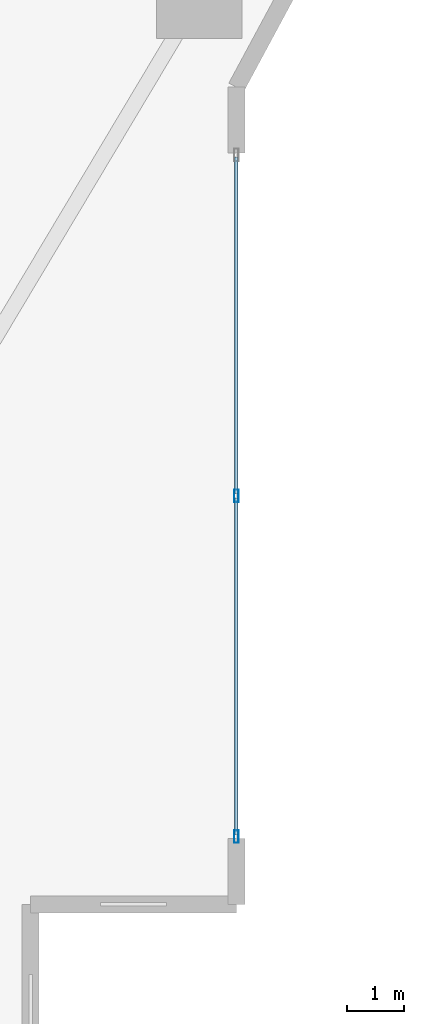
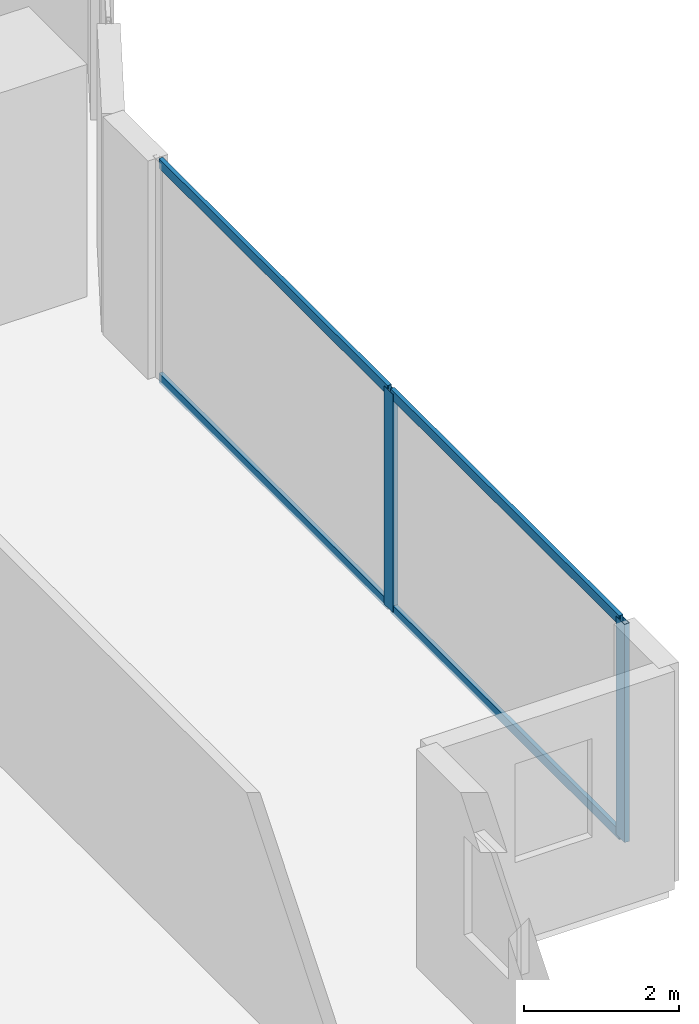
# One storey, part 10 of 29: 6 members, 1 element without a shape of its own.
"""IFC4 building model written with IfcOpenShell, lengths in metres."""

from ifc_helpers import new_model, si_unit, direction, frame, origin, origin_2d, place, context, subcontext, project, spatial, hollow_rectangle, extrude, material, layer, layer_set, material_profile, profile_set, type_object, element, aggregate, save


model = new_model("IFC4")

# Units and contexts
model_context = context("Model", 3, precision=1e-05, world=origin(), true_north=direction((0.0, 1.0)))
body_context = subcontext(model_context, "Body", "Model", "MODEL_VIEW")
ifc_project = project(units=[si_unit("LENGTHUNIT", "METRE"), si_unit("AREAUNIT", "SQUARE_METRE"), si_unit("VOLUMEUNIT", "CUBIC_METRE"), si_unit("PLANEANGLEUNIT", "RADIAN"), si_unit("MASSUNIT", "GRAM", prefix="KILO")], contexts=[model_context])

# Site, building, storey
site_placement = place(None, origin())
site = spatial("IfcSite", under=ifc_project, at=site_placement, CompositionType="ELEMENT")
building_placement = place(site_placement, origin())
building = spatial("IfcBuilding", under=site, at=building_placement, Name="Zuhayl Quay Hotel", CompositionType="ELEMENT")
storey_placement = place(building_placement, frame((0.0, 0.0, 67.75)))
storey = spatial("IfcBuildingStorey", under=building, at=storey_placement, Name="L16", CompositionType="ELEMENT", Elevation=67.75)

# Curtain wall, members
ifc_material_1 = material(Name="Anodised Aluminium 6063-T6", Category="aluminium")
ifc_layer = layer(ifc_material_1, 0.18994140625, Name="Anodised Aluminium 6063-T6", Category="aluminium")
ifc_layer_set = layer_set([ifc_layer], Name="Anodised Aluminium 6063-T6")
curtain_wall_type = type_object("IfcCurtainWallType", Name="CW_SYS_Z1", PredefinedType="USERDEFINED", material=ifc_layer_set)
curtain_wall_placement = place(storey_placement, origin())
curtain_wall = element("IfcCurtainWall", 1, at=curtain_wall_placement, inside=storey, type_object=curtain_wall_type, Name="L16 Curtain Wall ENV_L16_E14_CW1", ObjectType="UNITISED CURTAIN WALL", PredefinedType="USERDEFINED")
ifc_material_2 = material(Name="Black-anodised aluminium 6063-T6", Category="aluminium")
ifc_material_profile_1 = material_profile(ifc_material_2, hollow_rectangle(XDim=0.074951171875, YDim=0.219970703125, WallThickness=0.00390625, at=origin_2d()), Name="ALU220X75")
ifc_profile_set_1 = profile_set([ifc_material_profile_1], Name="Black-anodised aluminium 6063-T6")
member_type_1 = type_object("IfcMemberType", Name="MB_CW_MUL_220", PredefinedType="MULLION", material=ifc_profile_set_1)
member_1_placement = place(storey_placement, frame((25.699951171875, -12.35009765625, 0.0), z_axis=(0.0, 0.0, 1.0), x_axis=(1.0, 0.0, 0.0)))
member_1 = element("IfcMember", 2, at=member_1_placement, type_object=member_type_1, Name="CW-Z1 mullion 2", PredefinedType="MULLION", context=body_context, shape_type="SweptSolid", body=[
    extrude(hollow_rectangle(XDim=0.074951171875, YDim=0.219970703125, WallThickness=0.00390625, at=origin_2d()), origin(), (0.0, 0.0, 1.0), 3.429931640625),
])
member_2_placement = place(storey_placement, frame((25.699951171875, -18.3125, 0.0), z_axis=(0.0, 0.0, 1.0), x_axis=(1.0, 0.0, 0.0)))
member_2 = element("IfcMember", 3, at=member_2_placement, type_object=member_type_1, Name="CW-Z1 mullion 3", PredefinedType="MULLION", context=body_context, shape_type="SweptSolid", body=[
    extrude(hollow_rectangle(XDim=0.074951171875, YDim=0.219970703125, WallThickness=0.00390625, at=origin_2d()), origin(), (0.0, 0.0, 1.0), 3.429931640625),
])
ifc_material_profile_2 = material_profile(ifc_material_2, hollow_rectangle(XDim=0.06005859375, YDim=0.14990234375, WallThickness=0.00341796875, at=origin_2d()), Name="ALU150X60")
ifc_profile_set_2 = profile_set([ifc_material_profile_2], Name="Black-anodised aluminium 6063-T6")
member_type_2 = type_object("IfcMemberType", Name="MB_CW_TRN_150", PredefinedType="USERDEFINED", material=ifc_profile_set_2)
member_3_placement = place(storey_placement, frame((25.699951171875, -6.425048828125, 0.030029296875), z_axis=(0.0, -1.0, 0.0), x_axis=(1.0, 0.0, 0.0)))
member_3 = element("IfcMember", 4, at=member_3_placement, type_object=member_type_2, Name="CW-Z1 transom 1.1", ObjectType="TRANSOM", PredefinedType="USERDEFINED", context=body_context, shape_type="SweptSolid", body=[
    extrude(hollow_rectangle(XDim=0.06005859375, YDim=0.14990234375, WallThickness=0.00341796875, at=origin_2d()), origin(), (0.0, 0.0, 1.0), 5.887451171875),
])
member_4_placement = place(storey_placement, frame((25.699951171875, -6.425048828125, 3.39990234375), z_axis=(0.0, -1.0, 0.0), x_axis=(1.0, 0.0, 0.0)))
member_4 = element("IfcMember", 5, at=member_4_placement, type_object=member_type_2, Name="CW-Z1 transom 1.2", ObjectType="TRANSOM", PredefinedType="USERDEFINED", context=body_context, shape_type="SweptSolid", body=[
    extrude(hollow_rectangle(XDim=0.06005859375, YDim=0.14990234375, WallThickness=0.00341796875, at=origin_2d()), origin(), (0.0, 0.0, 1.0), 5.887451171875),
])
member_5_placement = place(storey_placement, frame((25.699951171875, -12.387451171875, 0.030029296875), z_axis=(0.0, -1.0, 0.0), x_axis=(1.0, 0.0, 0.0)))
member_5 = element("IfcMember", 6, at=member_5_placement, type_object=member_type_2, Name="CW-Z1 transom 2.1", ObjectType="TRANSOM", PredefinedType="USERDEFINED", context=body_context, shape_type="SweptSolid", body=[
    extrude(hollow_rectangle(XDim=0.06005859375, YDim=0.14990234375, WallThickness=0.00341796875, at=origin_2d()), origin(), (0.0, 0.0, 1.0), 5.887451171875),
])
member_6_placement = place(storey_placement, frame((25.699951171875, -12.387451171875, 3.39990234375), z_axis=(0.0, -1.0, 0.0), x_axis=(1.0, 0.0, 0.0)))
member_6 = element("IfcMember", 7, at=member_6_placement, type_object=member_type_2, Name="CW-Z1 transom 2.2", ObjectType="TRANSOM", PredefinedType="USERDEFINED", context=body_context, shape_type="SweptSolid", body=[
    extrude(hollow_rectangle(XDim=0.06005859375, YDim=0.14990234375, WallThickness=0.00341796875, at=origin_2d()), origin(), (0.0, 0.0, 1.0), 5.887451171875),
])
aggregate(curtain_wall, [member_1, member_2, member_3, member_4, member_5, member_6])

save(model, "model.ifc")
